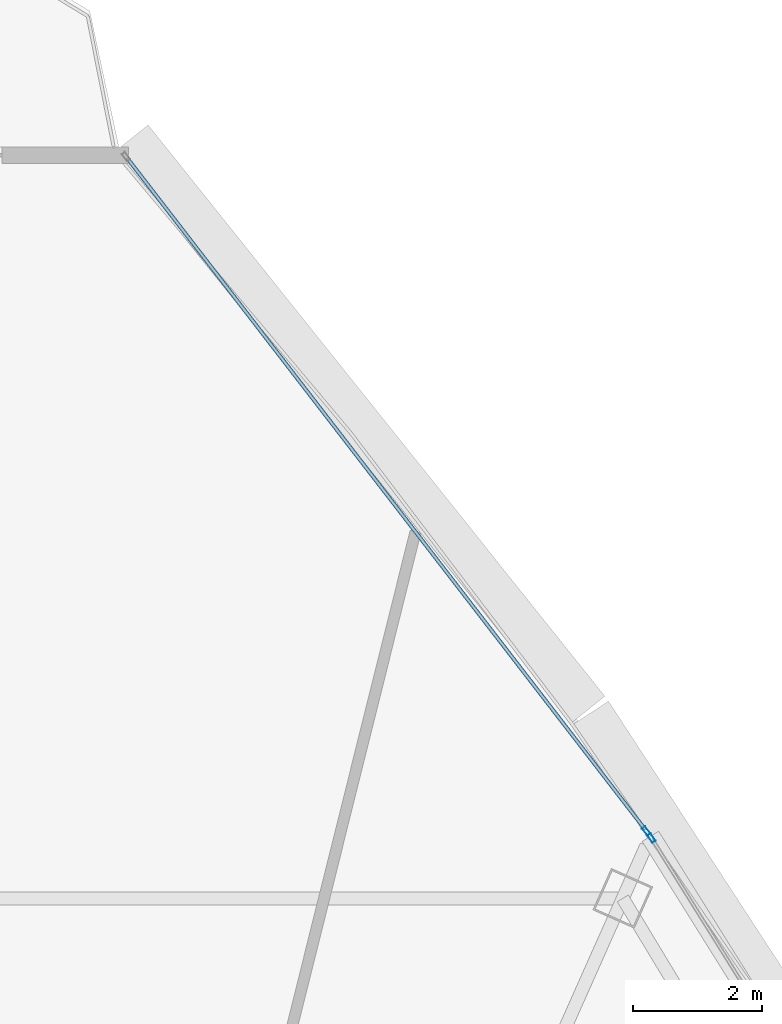
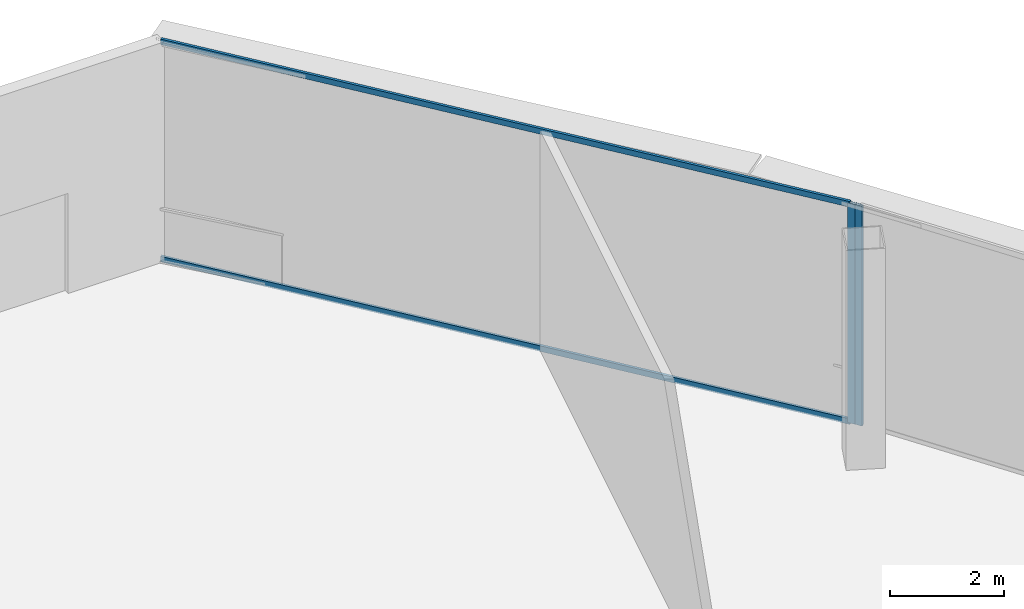
# One storey, part 22 of 29: 4 members, 2 elements without a shape of their own.
"""IFC4 building model written with IfcOpenShell, lengths in metres."""

from ifc_helpers import new_model, si_unit, direction, frame, origin, origin_2d, place, context, subcontext, project, spatial, hollow_rectangle, extrude, source, transform, mapped, material, layer, layer_set, material_profile, profile_set, type_object, element, aggregate, save


model = new_model("IFC4")

# Units and contexts
model_context = context("Model", 3, precision=1e-05, world=origin(), true_north=direction((0.0, 1.0)))
body_context = subcontext(model_context, "Body", "Model", "MODEL_VIEW")
ifc_project = project(units=[si_unit("LENGTHUNIT", "METRE"), si_unit("AREAUNIT", "SQUARE_METRE"), si_unit("VOLUMEUNIT", "CUBIC_METRE"), si_unit("PLANEANGLEUNIT", "RADIAN"), si_unit("MASSUNIT", "GRAM", prefix="KILO"), si_unit("THERMODYNAMICTEMPERATUREUNIT", "KELVIN"), si_unit("POWERUNIT", "WATT")], contexts=[model_context])

# Site, building, storey
site_placement = place(None, origin())
site = spatial("IfcSite", under=ifc_project, at=site_placement, CompositionType="ELEMENT")
building_placement = place(site_placement, origin())
building = spatial("IfcBuilding", under=site, at=building_placement, Name="Yunzhuo Pagoda Commons", CompositionType="ELEMENT")
storey_placement = place(building_placement, frame((0.0, 0.0, 366.760009765625)))
storey = spatial("IfcBuildingStorey", under=building, at=storey_placement, Name="L92", CompositionType="ELEMENT", Elevation=366.760009765625)

# Curtain wall, member
ifc_material = material(Name="Anodized aluminium 6063-T6", Category="aluminium")
ifc_layer = layer(ifc_material, 0.139892578125)
ifc_layer_set = layer_set([ifc_layer], Name="Anodized aluminium 6063-T6")
curtain_wall_type = type_object("IfcCurtainWallType", Name="CW-HI High-Zone Ribbon Curtain Wall", PredefinedType="NOTDEFINED", material=ifc_layer_set)
curtain_wall_1_placement = place(storey_placement, origin())
curtain_wall_1 = element("IfcCurtainWall", 1, at=curtain_wall_1_placement, inside=storey, type_object=curtain_wall_type, Name="L92 curtain wall CW-L92-F2B4", PredefinedType="NOTDEFINED")
ifc_material_profile_1 = material_profile(ifc_material, hollow_rectangle(XDim=0.06005859375, YDim=0.139892578125, WallThickness=0.00341796875, at=origin_2d()), Name="Anodized aluminium 6063-T6")
ifc_profile_set_1 = profile_set([ifc_material_profile_1], Name="Anodized aluminium 6063-T6")
member_type_1 = type_object("IfcMemberType", Name="CW-HI-M Mullion RHS 140x60x3.5", PredefinedType="MULLION", material=ifc_profile_set_1)
shared_shape_1 = source(origin(), body_context, "Body", "SweptSolid", [
    extrude(hollow_rectangle(XDim=0.06005859375, YDim=0.139892578125, WallThickness=0.00341796875, at=origin_2d()), origin(), (0.0, 0.0, 1.0), 4.72021484375),
])
member_1_placement = place(storey_placement, frame((58.942138671875, 58.214599609375, 0.0), z_axis=(0.0, 0.0, 1.0), x_axis=(-0.848055012826, -0.529908195087, 0.0)))
member_1 = element("IfcMember", 2, at=member_1_placement, type_object=member_type_1, Name="CW mullion 2", PredefinedType="MULLION", context=body_context, shape_type="MappedRepresentation", body=[
    mapped(shared_shape_1, transform((0.0, 0.0, 0.0), scale=1.0)),
])
aggregate(curtain_wall_1, [member_1])

# Curtain wall, members
curtain_wall_2_placement = place(storey_placement, origin())
curtain_wall_2 = element("IfcCurtainWall", 3, at=curtain_wall_2_placement, inside=storey, type_object=curtain_wall_type, Name="L92 curtain wall CW-L92-F2B5", PredefinedType="NOTDEFINED")
member_2_placement = place(storey_placement, frame((58.86181640625, 58.3232421875, 0.0), z_axis=(0.0, 0.0, 1.0), x_axis=(-0.791792596017, -0.610790049765, 0.0)))
member_2 = element("IfcMember", 4, at=member_2_placement, type_object=member_type_1, Name="CW mullion 1", PredefinedType="MULLION", context=body_context, shape_type="MappedRepresentation", body=[
    mapped(shared_shape_1, transform((0.0, 0.0, 0.0), scale=1.0)),
])
ifc_material_profile_2 = material_profile(ifc_material, hollow_rectangle(XDim=0.054931640625, YDim=0.1201171875, WallThickness=0.00341796875, at=origin_2d()), Name="Anodized aluminium 6063-T6")
ifc_profile_set_2 = profile_set([ifc_material_profile_2], Name="Anodized aluminium 6063-T6")
member_type_2 = type_object("IfcMemberType", Name="CW-HI-T Transom RHS 120x55x3.5", PredefinedType="USERDEFINED", material=ifc_profile_set_2)
shared_shape_2 = source(origin(), body_context, "Body", "SweptSolid", [
    extrude(hollow_rectangle(XDim=0.054931640625, YDim=0.1201171875, WallThickness=0.00341796875, at=origin_2d()), origin(), (0.0, 0.0, 1.0), 13.109375),
])
member_3_placement = place(storey_placement, frame((58.843505859375, 58.346923828125, 0.027587890625), z_axis=(-0.610791111699, 0.791791776839, 0.0), x_axis=(-0.791791776839, -0.610791111699, 0.0)))
member_3 = element("IfcMember", 5, at=member_3_placement, type_object=member_type_2, Name="CW transom 1.1", ObjectType="TRANSOM", PredefinedType="USERDEFINED", context=body_context, shape_type="MappedRepresentation", body=[
    mapped(shared_shape_2, transform((0.0, 0.0, 0.0), scale=1.0)),
])
member_4_placement = place(storey_placement, frame((58.843505859375, 58.346923828125, 4.6923828125), z_axis=(-0.610791111699, 0.791791776839, 0.0), x_axis=(-0.791791776839, -0.610791111699, 0.0)))
member_4 = element("IfcMember", 6, at=member_4_placement, type_object=member_type_2, Name="CW transom 1.2", ObjectType="TRANSOM", PredefinedType="USERDEFINED", context=body_context, shape_type="MappedRepresentation", body=[
    mapped(shared_shape_2, transform((0.0, 0.0, 0.0), scale=1.0)),
])
aggregate(curtain_wall_2, [member_2, member_3, member_4])

save(model, "model.ifc")
